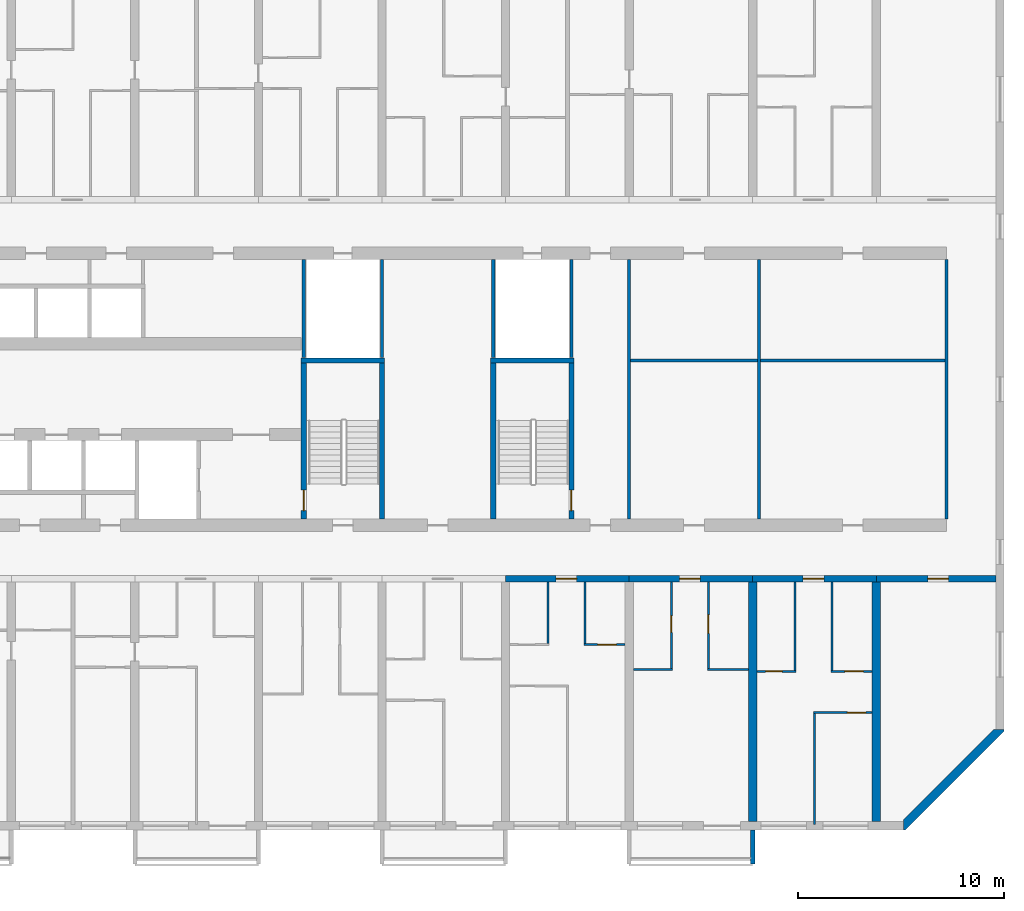
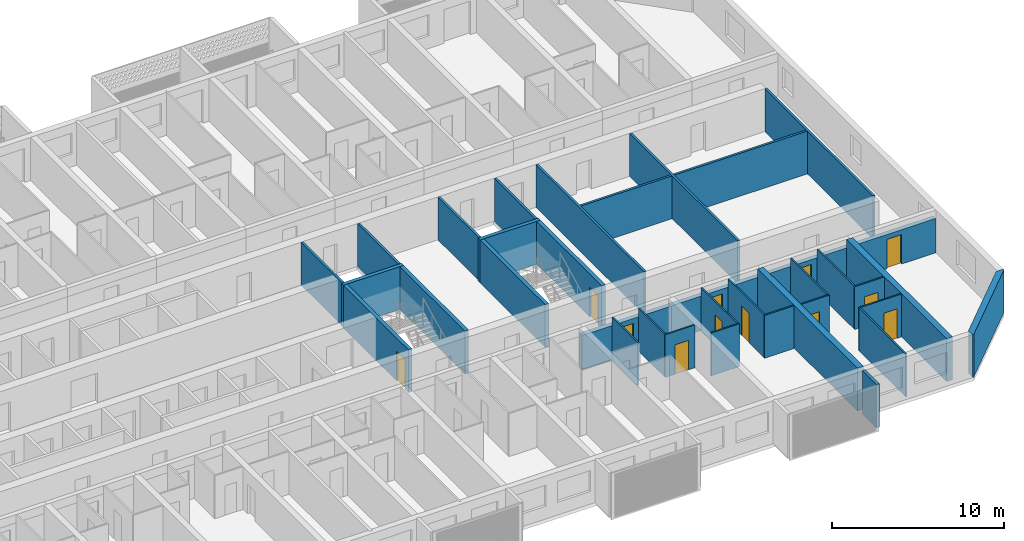
# One storey, part 15 of 38: 35 walls, 12 doors, 12 openings.
"""IFC4 building model written with IfcOpenShell, lengths in metres."""

from ifc_helpers import new_model, si_unit, direction, frame, frame_2d, origin, place, context, subcontext, project, spatial, polyline, rectangle, outline, extrude, source, transform, mapped, material, layer, layer_set, type_object, element, fill, save


model = new_model("IFC4")

# Units and contexts
model_context = context("Model", 3, precision=1e-05, world=origin(), true_north=direction((0.0, 1.0)))
body_context = subcontext(model_context, "Body", "Model", "MODEL_VIEW")
ifc_project = project(units=[si_unit("LENGTHUNIT", "METRE"), si_unit("AREAUNIT", "SQUARE_METRE"), si_unit("VOLUMEUNIT", "CUBIC_METRE"), si_unit("PLANEANGLEUNIT", "RADIAN"), si_unit("MASSUNIT", "GRAM", prefix="KILO")], contexts=[model_context])

# Site, building, storey
site_placement = place(None, origin())
site = spatial("IfcSite", under=ifc_project, at=site_placement, CompositionType="ELEMENT")
building_placement = place(site_placement, origin())
building = spatial("IfcBuilding", under=site, at=building_placement, Name="Poui Terraces", CompositionType="ELEMENT")
storey_placement = place(building_placement, frame((0.0, 0.0, 43.199951171875)))
storey = spatial("IfcBuildingStorey", under=building, at=storey_placement, Name="L11", CompositionType="ELEMENT", Elevation=43.199951171875)

# Walls
ifc_material_1 = material(Name="Fire-rated plasterboard wall")
ifc_layer_1 = layer(ifc_material_1, 0.14990234375)
ifc_layer_set_1 = layer_set([ifc_layer_1], Name="Fire-rated plasterboard wall")
wall_type_1 = type_object("IfcWallType", Name="CORRIDOR WALL 150", PredefinedType="PARTITIONING", material=ifc_layer_set_1)
for number, where, z_axis, x_axis, name in (
    (1, (84.0, 14.909912109375, 0.0), (0.0, 0.0, 1.0), (0.0, 1.0, 0.0), "CORRIDOR WALL 150"),
    (2, (99.39990234375, 14.909912109375, 0.0), (0.0, 0.0, 1.0), (0.0, 1.0, 0.0), "CORRIDOR WALL 150"),
):
    element("IfcWall", number, at=place(storey_placement, frame(where, z_axis=z_axis, x_axis=x_axis)), inside=storey, type_object=wall_type_1, Name=name, PredefinedType="PARTITIONING", context=body_context, shape_type="SweptSolid", body=[
        extrude(rectangle(XDim=12.580078125, YDim=0.14990234375, at=frame_2d((6.2900390625, 0.0))), origin(), (0.0, 0.0, 1.0), 3.050048828125),
    ])

# Wall, opening, door
ifc_material_2 = material(Name="Concrete 80 MPa", Category="concrete")
ifc_layer_2 = layer(ifc_material_2, 0.300048828125)
ifc_layer_set_2 = layer_set([ifc_layer_2], Name="Concrete 80 MPa")
wall_type_2 = type_object("IfcWallType", Name="CORRIDOR WALL 300 80MPa", PredefinedType="SHEAR", material=ifc_layer_set_2)
wall_1_placement = place(storey_placement, frame((78.0, 12.0, 0.0), z_axis=(0.0, 0.0, 1.0), x_axis=(1.0, 0.0, 0.0)))
wall_1 = element("IfcWall", 3, at=wall_1_placement, inside=storey, type_object=wall_type_2, Name="CORRIDOR WALL LINE B BAY 14", PredefinedType="SHEAR", context=body_context, shape_type="SweptSolid", body=[
    extrude(rectangle(XDim=6.0, YDim=0.300048828125, at=frame_2d((3.0, 0.0))), origin(), (0.0, 0.0, 1.0), 2.449951171875),
])
opening_1_placement = place(wall_1_placement, frame((2.449951171875, 0.0, 0.0)))
opening_1 = element("IfcOpeningElement", 4, at=opening_1_placement, cuts=wall_1, Name="Opening FD30S", PredefinedType="OPENING", context=body_context, shape_type="SweptSolid", body=[
    extrude(rectangle(XDim=1.0, YDim=2.10009765625, at=frame_2d((0.5, 1.050048828125))), frame((0.0, 0.16015625, 0.0), z_axis=(0.0, -1.0, 0.0), x_axis=(1.0, 0.0, 0.0)), (0.0, 0.0, 1.0), 0.320068359375),
])
ifc_material_3 = material(Name="Steel fire door", Category="steel")
door_type_1 = type_object("IfcDoorType", Name="FLAT ENTRANCE DOOR 1000 X 2100", OperationType="NOTDEFINED", PredefinedType="DOOR", material=ifc_material_3)
door_1_placement = place(opening_1_placement, frame((1.0, 0.0, 0.0), z_axis=(0.0, 0.0, 1.0), x_axis=(-1.0, 0.0, 0.0)))
door_1 = element("IfcDoor", 5, at=door_1_placement, inside=storey, type_object=door_type_1, Name="FLAT ENTRANCE DOOR 138", OperationType="SINGLE_SWING_RIGHT", OverallHeight=2.10009765625, OverallWidth=1.0, PredefinedType="DOOR", context=body_context, shape_type="SweptSolid", body=[
    extrude(rectangle(XDim=1.0, YDim=2.10009765625, at=frame_2d((0.5, 1.050048828125))), frame((0.0, 0.02490234375, 0.0), z_axis=(0.0, -1.0, 0.0), x_axis=(1.0, 0.0, 0.0)), (0.0, 0.0, 1.0), 0.050048828125),
])
fill(opening_1, door_1)

wall_2_placement = place(storey_placement, frame((84.0, 12.0, 0.0), z_axis=(0.0, 0.0, 1.0), x_axis=(1.0, 0.0, 0.0)))
wall_2 = element("IfcWall", 6, at=wall_2_placement, inside=storey, type_object=wall_type_2, Name="CORRIDOR WALL LINE B BAY 15", PredefinedType="SHEAR", context=body_context, shape_type="SweptSolid", body=[
    extrude(rectangle(XDim=6.0, YDim=0.300048828125, at=frame_2d((3.0, 0.0))), origin(), (0.0, 0.0, 1.0), 2.449951171875),
])
opening_2_placement = place(wall_2_placement, frame((2.449951171875, 0.0, 0.0)))
opening_2 = element("IfcOpeningElement", 7, at=opening_2_placement, cuts=wall_2, Name="Opening FD30S", PredefinedType="OPENING", context=body_context, shape_type="SweptSolid", body=[
    extrude(rectangle(XDim=1.0, YDim=2.10009765625, at=frame_2d((0.5, 1.050048828125))), frame((0.0, 0.16015625, 0.0), z_axis=(0.0, -1.0, 0.0), x_axis=(1.0, 0.0, 0.0)), (0.0, 0.0, 1.0), 0.320068359375),
])
door_2_placement = place(opening_2_placement, frame((1.0, 0.0, 0.0), z_axis=(0.0, 0.0, 1.0), x_axis=(-1.0, 0.0, 0.0)))
door_2 = element("IfcDoor", 8, at=door_2_placement, inside=storey, type_object=door_type_1, Name="FLAT ENTRANCE DOOR 141", OperationType="SINGLE_SWING_RIGHT", OverallHeight=2.10009765625, OverallWidth=1.0, PredefinedType="DOOR", context=body_context, shape_type="SweptSolid", body=[
    extrude(rectangle(XDim=1.0, YDim=2.10009765625, at=frame_2d((0.5, 1.050048828125))), frame((0.0, 0.02490234375, 0.0), z_axis=(0.0, -1.0, 0.0), x_axis=(1.0, 0.0, 0.0)), (0.0, 0.0, 1.0), 0.050048828125),
])
fill(opening_2, door_2)

wall_3_placement = place(storey_placement, frame((90.0, 12.0, 0.0), z_axis=(0.0, 0.0, 1.0), x_axis=(1.0, 0.0, 0.0)))
wall_3 = element("IfcWall", 9, at=wall_3_placement, inside=storey, type_object=wall_type_2, Name="CORRIDOR WALL LINE B BAY 16", PredefinedType="SHEAR", context=body_context, shape_type="SweptSolid", body=[
    extrude(rectangle(XDim=6.0, YDim=0.300048828125, at=frame_2d((3.0, 0.0))), origin(), (0.0, 0.0, 1.0), 2.449951171875),
])
opening_3_placement = place(wall_3_placement, frame((2.449951171875, 0.0, 0.0)))
opening_3 = element("IfcOpeningElement", 10, at=opening_3_placement, cuts=wall_3, Name="Opening FD30S", PredefinedType="OPENING", context=body_context, shape_type="SweptSolid", body=[
    extrude(rectangle(XDim=1.0, YDim=2.10009765625, at=frame_2d((0.5, 1.050048828125))), frame((0.0, 0.16015625, 0.0), z_axis=(0.0, -1.0, 0.0), x_axis=(1.0, 0.0, 0.0)), (0.0, 0.0, 1.0), 0.320068359375),
])
door_3_placement = place(opening_3_placement, frame((1.0, 0.0, 0.0), z_axis=(0.0, 0.0, 1.0), x_axis=(-1.0, 0.0, 0.0)))
door_3 = element("IfcDoor", 11, at=door_3_placement, inside=storey, type_object=door_type_1, Name="FLAT ENTRANCE DOOR 144", OperationType="SINGLE_SWING_RIGHT", OverallHeight=2.10009765625, OverallWidth=1.0, PredefinedType="DOOR", context=body_context, shape_type="SweptSolid", body=[
    extrude(rectangle(XDim=1.0, YDim=2.10009765625, at=frame_2d((0.5, 1.050048828125))), frame((0.0, 0.02490234375, 0.0), z_axis=(0.0, -1.0, 0.0), x_axis=(1.0, 0.0, 0.0)), (0.0, 0.0, 1.0), 0.050048828125),
])
fill(opening_3, door_3)

wall_4_placement = place(storey_placement, frame((96.0, 12.0, 0.0), z_axis=(0.0, 0.0, 1.0), x_axis=(1.0, 0.0, 0.0)))
wall_4 = element("IfcWall", 12, at=wall_4_placement, inside=storey, type_object=wall_type_2, Name="CORRIDOR WALL LINE B BAY 17", PredefinedType="SHEAR", context=body_context, shape_type="SweptSolid", body=[
    extrude(rectangle(XDim=5.800048828125, YDim=0.300048828125, at=frame_2d((2.89990234375, 0.0))), origin(), (0.0, 0.0, 1.0), 2.449951171875),
])
opening_4_placement = place(wall_4_placement, frame((2.5, 0.0, 0.0)))
opening_4 = element("IfcOpeningElement", 13, at=opening_4_placement, cuts=wall_4, Name="Opening D100", PredefinedType="OPENING", context=body_context, shape_type="SweptSolid", body=[
    extrude(rectangle(XDim=1.0, YDim=2.10009765625, at=frame_2d((0.5, 1.050048828125))), frame((0.0, 0.16015625, 0.0), z_axis=(0.0, -1.0, 0.0), x_axis=(1.0, 0.0, 0.0)), (0.0, 0.0, 1.0), 0.320068359375),
])
ifc_material_4 = material(Name="Solid core timber door", Category="wood")
door_type_2 = type_object("IfcDoorType", Name="ACCESSIBLE INTERNAL DOOR 1000 X 2100", OperationType="NOTDEFINED", PredefinedType="DOOR", material=ifc_material_4)
door_4_placement = place(opening_4_placement, frame((1.0, 0.0, 0.0), z_axis=(0.0, 0.0, 1.0), x_axis=(-1.0, 0.0, 0.0)))
door_4 = element("IfcDoor", 14, at=door_4_placement, inside=storey, type_object=door_type_2, Name="ACCESSIBLE INTERNAL DOOR 147", OperationType="SINGLE_SWING_RIGHT", OverallHeight=2.10009765625, OverallWidth=1.0, PredefinedType="DOOR", context=body_context, shape_type="SweptSolid", body=[
    extrude(rectangle(XDim=1.0, YDim=2.10009765625, at=frame_2d((0.5, 1.050048828125))), frame((0.0, 0.02490234375, 0.0), z_axis=(0.0, -1.0, 0.0), x_axis=(1.0, 0.0, 0.0)), (0.0, 0.0, 1.0), 0.050048828125),
])
fill(opening_4, door_4)

# Walls
ifc_layer_3 = layer(ifc_material_2, 0.39990234375)
ifc_layer_set_3 = layer_set([ifc_layer_3], Name="Concrete 80 MPa")
wall_type_3 = type_object("IfcWallType", Name="CROSS WALL 400 80MPa", PredefinedType="SHEAR", material=ifc_layer_set_3)
for number, where, z_axis, x_axis, name in (
    (15, (90.0, 0.199951171875, 0.0), (0.0, 0.0, 1.0), (0.0, 1.0, 0.0), "CROSS WALL LINE 16 SOUTH"),
    (16, (96.0, 0.199951171875, 0.0), (0.0, 0.0, 1.0), (0.0, 1.0, 0.0), "CROSS WALL LINE 17 SOUTH"),
):
    element("IfcWall", number, at=place(storey_placement, frame(where, z_axis=z_axis, x_axis=x_axis)), inside=storey, type_object=wall_type_3, Name=name, PredefinedType="SHEAR", context=body_context, shape_type="SweptSolid", body=[
        extrude(rectangle(XDim=11.650146484375, YDim=0.39990234375, at=frame_2d((5.8251953125, 0.0))), origin(), (0.0, 0.0, 1.0), 3.050048828125),
    ])

# Wall, opening, door
ifc_material_5 = material(Name="Plasterboard partition")
ifc_layer_4 = layer(ifc_material_5, 0.10009765625)
ifc_layer_set_4 = layer_set([ifc_layer_4], Name="Plasterboard partition")
wall_type_4 = type_object("IfcWallType", Name="FLAT PARTITION 100", PredefinedType="PARTITIONING", material=ifc_layer_set_4)
wall_5_placement = place(storey_placement, frame((92.949951171875, 5.5, 0.0), z_axis=(0.0, 0.0, 1.0), x_axis=(1.0, 0.0, 0.0)))
wall_5 = element("IfcWall", 17, at=wall_5_placement, inside=storey, type_object=wall_type_4, Name="FLAT PARTITION 100", PredefinedType="PARTITIONING", context=body_context, shape_type="SweptSolid", body=[
    extrude(rectangle(XDim=2.840087890625, YDim=0.10009765625, at=frame_2d((1.419921875, 0.0))), origin(), (0.0, 0.0, 1.0), 3.050048828125),
])
opening_5_placement = place(wall_5_placement, frame((1.64990234375, 0.0, 0.0)))
opening_5 = element("IfcOpeningElement", 18, at=opening_5_placement, cuts=wall_5, Name="Opening D90", PredefinedType="OPENING", context=body_context, shape_type="SweptSolid", body=[
    extrude(rectangle(XDim=0.89990234375, YDim=2.10009765625, at=frame_2d((0.449951171875, 1.050048828125))), frame((0.0, 0.06005859375, 0.0), z_axis=(0.0, -1.0, 0.0), x_axis=(1.0, 0.0, 0.0)), (0.0, 0.0, 1.0), 0.1201171875),
])
door_type_3 = type_object("IfcDoorType", Name="INTERNAL DOOR 900 X 2100", OperationType="NOTDEFINED", PredefinedType="DOOR", material=ifc_material_4)
door_5_placement = place(opening_5_placement, frame((0.89990234375, 0.0, 0.0), z_axis=(0.0, 0.0, 1.0), x_axis=(-1.0, 0.0, 0.0)))
door_5 = element("IfcDoor", 19, at=door_5_placement, inside=storey, type_object=door_type_3, Name="INTERNAL DOOR 146", OperationType="SINGLE_SWING_LEFT", OverallHeight=2.10009765625, OverallWidth=0.89990234375, PredefinedType="DOOR", context=body_context, shape_type="SweptSolid", body=[
    extrude(rectangle(XDim=0.89990234375, YDim=2.10009765625, at=frame_2d((0.449951171875, 1.050048828125))), frame((0.0, 0.02490234375, 0.0), z_axis=(0.0, -1.0, 0.0), x_axis=(1.0, 0.0, 0.0)), (0.0, 0.0, 1.0), 0.050048828125),
])
fill(opening_5, door_5)

wall_6_placement = place(storey_placement, frame((90.2099609375, 7.5, 0.0), z_axis=(0.0, 0.0, 1.0), x_axis=(1.0, 0.0, 0.0)))
wall_6 = element("IfcWall", 20, at=wall_6_placement, inside=storey, type_object=wall_type_4, Name="FLAT PARTITION 100", PredefinedType="PARTITIONING", context=body_context, shape_type="SweptSolid", body=[
    extrude(rectangle(XDim=1.89013671875, YDim=0.10009765625, at=frame_2d((0.945068359375, 0.0))), origin(), (0.0, 0.0, 1.0), 3.050048828125),
])
opening_6_placement = place(wall_6_placement, frame((0.4150390625, 0.0, 0.0)))
opening_6 = element("IfcOpeningElement", 21, at=opening_6_placement, cuts=wall_6, Name="Opening D80", PredefinedType="OPENING", context=body_context, shape_type="SweptSolid", body=[
    extrude(rectangle(XDim=0.800048828125, YDim=2.10009765625, at=frame_2d((0.39990234375, 1.050048828125))), frame((0.0, 0.06005859375, 0.0), z_axis=(0.0, -1.0, 0.0), x_axis=(1.0, 0.0, 0.0)), (0.0, 0.0, 1.0), 0.1201171875),
])
door_type_4 = type_object("IfcDoorType", Name="BATHROOM, LAUNDRY AND STORE DOOR 800 X 2100", OperationType="NOTDEFINED", PredefinedType="DOOR", material=ifc_material_4)
door_6_placement = place(opening_6_placement, origin())
door_6 = element("IfcDoor", 22, at=door_6_placement, inside=storey, type_object=door_type_4, Name="BATHROOM, LAUNDRY AND STORE DOOR 143", OperationType="SINGLE_SWING_LEFT", OverallHeight=2.10009765625, OverallWidth=0.800048828125, PredefinedType="DOOR", context=body_context, shape_type="SweptSolid", body=[
    extrude(rectangle(XDim=0.800048828125, YDim=2.10009765625, at=frame_2d((0.39990234375, 1.050048828125))), frame((0.0, 0.02490234375, 0.0), z_axis=(0.0, -1.0, 0.0), x_axis=(1.0, 0.0, 0.0)), (0.0, 0.0, 1.0), 0.050048828125),
])
fill(opening_6, door_6)

wall_7_placement = place(storey_placement, frame((93.800048828125, 7.5, 0.0), z_axis=(0.0, 0.0, 1.0), x_axis=(1.0, 0.0, 0.0)))
wall_7 = element("IfcWall", 23, at=wall_7_placement, inside=storey, type_object=wall_type_4, Name="FLAT PARTITION 100", PredefinedType="PARTITIONING", context=body_context, shape_type="SweptSolid", body=[
    extrude(rectangle(XDim=1.989990234375, YDim=0.10009765625, at=frame_2d((0.9951171875, 0.0))), origin(), (0.0, 0.0, 1.0), 3.050048828125),
])
opening_7_placement = place(wall_7_placement, frame((0.675048828125, 0.0, 0.0)))
opening_7 = element("IfcOpeningElement", 24, at=opening_7_placement, cuts=wall_7, Name="Opening D90", PredefinedType="OPENING", context=body_context, shape_type="SweptSolid", body=[
    extrude(rectangle(XDim=0.89990234375, YDim=2.10009765625, at=frame_2d((0.449951171875, 1.050048828125))), frame((0.0, 0.06005859375, 0.0), z_axis=(0.0, -1.0, 0.0), x_axis=(1.0, 0.0, 0.0)), (0.0, 0.0, 1.0), 0.1201171875),
])
door_7_placement = place(opening_7_placement, origin())
door_7 = element("IfcDoor", 25, at=door_7_placement, inside=storey, type_object=door_type_3, Name="INTERNAL DOOR 145", OperationType="SINGLE_SWING_RIGHT", OverallHeight=2.10009765625, OverallWidth=0.89990234375, PredefinedType="DOOR", context=body_context, shape_type="SweptSolid", body=[
    extrude(rectangle(XDim=0.89990234375, YDim=2.10009765625, at=frame_2d((0.449951171875, 1.050048828125))), frame((0.0, 0.02490234375, 0.0), z_axis=(0.0, -1.0, 0.0), x_axis=(1.0, 0.0, 0.0)), (0.0, 0.0, 1.0), 0.050048828125),
])
fill(opening_7, door_7)

# Walls
wall_8_placement = place(storey_placement, frame((84.2099609375, 7.60009765625, 0.0), z_axis=(0.0, 0.0, 1.0), x_axis=(1.0, 0.0, 0.0)))
element("IfcWall", 26, at=wall_8_placement, inside=storey, type_object=wall_type_4, Name="FLAT PARTITION 100", PredefinedType="PARTITIONING", context=body_context, shape_type="SweptSolid", body=[
    extrude(rectangle(XDim=1.89013671875, YDim=0.10009765625, at=frame_2d((0.945068359375, 0.0))), origin(), (0.0, 0.0, 1.0), 3.050048828125),
])
wall_9_placement = place(storey_placement, frame((87.800048828125, 7.60009765625, 0.0), z_axis=(0.0, 0.0, 1.0), x_axis=(1.0, 0.0, 0.0)))
element("IfcWall", 27, at=wall_9_placement, inside=storey, type_object=wall_type_4, Name="FLAT PARTITION 100", PredefinedType="PARTITIONING", context=body_context, shape_type="SweptSolid", body=[
    extrude(rectangle(XDim=1.989990234375, YDim=0.10009765625, at=frame_2d((0.9951171875, 0.0))), origin(), (0.0, 0.0, 1.0), 3.050048828125),
])

# Wall, opening, door
wall_10_placement = place(storey_placement, frame((81.800048828125, 8.800048828125, 0.0), z_axis=(0.0, 0.0, 1.0), x_axis=(1.0, 0.0, 0.0)))
wall_10 = element("IfcWall", 28, at=wall_10_placement, inside=storey, type_object=wall_type_4, Name="FLAT PARTITION 100", PredefinedType="PARTITIONING", context=body_context, shape_type="SweptSolid", body=[
    extrude(rectangle(XDim=1.989990234375, YDim=0.10009765625, at=frame_2d((0.9951171875, 0.0))), origin(), (0.0, 0.0, 1.0), 3.050048828125),
])
opening_8_placement = place(wall_10_placement, frame((0.675048828125, 0.0, 0.0)))
opening_8 = element("IfcOpeningElement", 29, at=opening_8_placement, cuts=wall_10, Name="Opening D90", PredefinedType="OPENING", context=body_context, shape_type="SweptSolid", body=[
    extrude(rectangle(XDim=0.89990234375, YDim=2.10009765625, at=frame_2d((0.449951171875, 1.050048828125))), frame((0.0, 0.06005859375, 0.0), z_axis=(0.0, -1.0, 0.0), x_axis=(1.0, 0.0, 0.0)), (0.0, 0.0, 1.0), 0.1201171875),
])
door_8_placement = place(opening_8_placement, origin())
door_8 = element("IfcDoor", 30, at=door_8_placement, inside=storey, type_object=door_type_3, Name="INTERNAL DOOR 139", OperationType="SINGLE_SWING_RIGHT", OverallHeight=2.10009765625, OverallWidth=0.89990234375, PredefinedType="DOOR", context=body_context, shape_type="SweptSolid", body=[
    extrude(rectangle(XDim=0.89990234375, YDim=2.10009765625, at=frame_2d((0.449951171875, 1.050048828125))), frame((0.0, 0.02490234375, 0.0), z_axis=(0.0, -1.0, 0.0), x_axis=(1.0, 0.0, 0.0)), (0.0, 0.0, 1.0), 0.050048828125),
])
fill(opening_8, door_8)

# Walls
for number, where, z_axis, x_axis, name in (
    (31, (80.050048828125, 8.85009765625, 0.0), (0.0, 0.0, 1.0), (0.0, 1.0, 0.0), "FLAT PARTITION 100"),
    (32, (81.85009765625, 8.85009765625, 0.0), (0.0, 0.0, 1.0), (0.0, 1.0, 0.0), "FLAT PARTITION 100"),
):
    element("IfcWall", number, at=place(storey_placement, frame(where, z_axis=z_axis, x_axis=x_axis)), inside=storey, type_object=wall_type_4, Name=name, PredefinedType="PARTITIONING", context=body_context, shape_type="SweptSolid", body=[
        extrude(rectangle(XDim=2.989990234375, YDim=0.10009765625, at=frame_2d((1.4951171875, 0.0))), origin(), (0.0, 0.0, 1.0), 3.050048828125),
    ])

# Wall, opening, door
wall_11_placement = place(storey_placement, frame((86.050048828125, 7.64990234375, 0.0), z_axis=(0.0, 0.0, 1.0), x_axis=(0.0, 1.0, 0.0)))
wall_11 = element("IfcWall", 33, at=wall_11_placement, inside=storey, type_object=wall_type_4, Name="FLAT PARTITION 100", PredefinedType="PARTITIONING", context=body_context, shape_type="SweptSolid", body=[
    extrude(rectangle(XDim=4.190185546875, YDim=0.10009765625, at=frame_2d((2.09521484375, 0.0))), origin(), (0.0, 0.0, 1.0), 3.050048828125),
])
opening_9_placement = place(wall_11_placement, frame((1.75, 0.0, 0.0)))
opening_9 = element("IfcOpeningElement", 34, at=opening_9_placement, cuts=wall_11, Name="Opening D80", PredefinedType="OPENING", context=body_context, shape_type="SweptSolid", body=[
    extrude(rectangle(XDim=0.800048828125, YDim=2.10009765625, at=frame_2d((0.39990234375, 1.050048828125))), frame((0.0, 0.06005859375, 0.0), z_axis=(0.0, -1.0, 0.0), x_axis=(1.0, 0.0, 0.0)), (0.0, 0.0, 1.0), 0.1201171875),
])
door_9_placement = place(opening_9_placement, origin())
door_9 = element("IfcDoor", 35, at=door_9_placement, inside=storey, type_object=door_type_4, Name="BATHROOM, LAUNDRY AND STORE DOOR 140", OperationType="SINGLE_SWING_LEFT", OverallHeight=2.10009765625, OverallWidth=0.800048828125, PredefinedType="DOOR", context=body_context, shape_type="SweptSolid", body=[
    extrude(rectangle(XDim=0.800048828125, YDim=2.10009765625, at=frame_2d((0.39990234375, 1.050048828125))), frame((0.0, 0.02490234375, 0.0), z_axis=(0.0, -1.0, 0.0), x_axis=(1.0, 0.0, 0.0)), (0.0, 0.0, 1.0), 0.050048828125),
])
fill(opening_9, door_9)

wall_12_placement = place(storey_placement, frame((87.85009765625, 7.64990234375, 0.0), z_axis=(0.0, 0.0, 1.0), x_axis=(0.0, 1.0, 0.0)))
wall_12 = element("IfcWall", 36, at=wall_12_placement, inside=storey, type_object=wall_type_4, Name="FLAT PARTITION 100", PredefinedType="PARTITIONING", context=body_context, shape_type="SweptSolid", body=[
    extrude(rectangle(XDim=4.190185546875, YDim=0.10009765625, at=frame_2d((2.09521484375, 0.0))), origin(), (0.0, 0.0, 1.0), 3.050048828125),
])
opening_10_placement = place(wall_12_placement, frame((1.699951171875, 0.0, 0.0)))
opening_10 = element("IfcOpeningElement", 37, at=opening_10_placement, cuts=wall_12, Name="Opening D90", PredefinedType="OPENING", context=body_context, shape_type="SweptSolid", body=[
    extrude(rectangle(XDim=0.89990234375, YDim=2.10009765625, at=frame_2d((0.449951171875, 1.050048828125))), frame((0.0, 0.06005859375, 0.0), z_axis=(0.0, -1.0, 0.0), x_axis=(1.0, 0.0, 0.0)), (0.0, 0.0, 1.0), 0.1201171875),
])
door_10_placement = place(opening_10_placement, frame((0.89990234375, 0.0, 0.0), z_axis=(0.0, 0.0, 1.0), x_axis=(-1.0, 0.0, 0.0)))
door_10 = element("IfcDoor", 38, at=door_10_placement, inside=storey, type_object=door_type_3, Name="INTERNAL DOOR 142", OperationType="SINGLE_SWING_LEFT", OverallHeight=2.10009765625, OverallWidth=0.89990234375, PredefinedType="DOOR", context=body_context, shape_type="SweptSolid", body=[
    extrude(rectangle(XDim=0.89990234375, YDim=2.10009765625, at=frame_2d((0.449951171875, 1.050048828125))), frame((0.0, 0.02490234375, 0.0), z_axis=(0.0, -1.0, 0.0), x_axis=(1.0, 0.0, 0.0)), (0.0, 0.0, 1.0), 0.050048828125),
])
fill(opening_10, door_10)

# Walls
wall_13_placement = place(storey_placement, frame((92.050048828125, 7.550048828125, 0.0), z_axis=(0.0, 0.0, 1.0), x_axis=(0.0, 1.0, 0.0)))
element("IfcWall", 39, at=wall_13_placement, inside=storey, type_object=wall_type_4, Name="FLAT PARTITION 100", PredefinedType="PARTITIONING", context=body_context, shape_type="SweptSolid", body=[
    extrude(rectangle(XDim=4.2900390625, YDim=0.10009765625, at=frame_2d((2.14501953125, 0.0))), origin(), (0.0, 0.0, 1.0), 3.050048828125),
])
wall_14_placement = place(storey_placement, frame((93.0, 0.06005859375, 0.0), z_axis=(0.0, 0.0, 1.0), x_axis=(0.0, 1.0, 0.0)))
element("IfcWall", 40, at=wall_14_placement, inside=storey, type_object=wall_type_4, Name="FLAT PARTITION 100", PredefinedType="PARTITIONING", context=body_context, shape_type="SweptSolid", body=[
    extrude(rectangle(XDim=5.389892578125, YDim=0.10009765625, at=frame_2d((2.69482421875, 0.0))), origin(), (0.0, 0.0, 1.0), 3.050048828125),
])
wall_15_placement = place(storey_placement, frame((93.85009765625, 7.550048828125, 0.0), z_axis=(0.0, 0.0, 1.0), x_axis=(0.0, 1.0, 0.0)))
element("IfcWall", 41, at=wall_15_placement, inside=storey, type_object=wall_type_4, Name="FLAT PARTITION 100", PredefinedType="PARTITIONING", context=body_context, shape_type="SweptSolid", body=[
    extrude(rectangle(XDim=4.2900390625, YDim=0.10009765625, at=frame_2d((2.14501953125, 0.0))), origin(), (0.0, 0.0, 1.0), 3.050048828125),
])
ifc_layer_5 = layer(ifc_material_5, 0.14990234375)
ifc_layer_set_5 = layer_set([ifc_layer_5], Name="Plasterboard partition")
wall_type_5 = type_object("IfcWallType", Name="PARTITION WALL 150", PredefinedType="PARTITIONING", material=ifc_layer_set_5)
wall_16_placement = place(storey_placement, frame((84.074951171875, 22.60009765625, 0.0), z_axis=(0.0, 0.0, 1.0), x_axis=(1.0, 0.0, 0.0)))
element("IfcWall", 42, at=wall_16_placement, inside=storey, type_object=wall_type_5, Name="PARTITION WALL 150", PredefinedType="PARTITIONING", context=body_context, shape_type="SweptSolid", body=[
    extrude(rectangle(XDim=15.25, YDim=0.14990234375, at=frame_2d((7.625, 0.0))), origin(), (0.0, 0.0, 1.0), 3.050048828125),
])
wall_17_placement = place(storey_placement, frame((90.300048828125, 14.909912109375, 0.0), z_axis=(0.0, 0.0, 1.0), x_axis=(0.0, 1.0, 0.0)))
element("IfcWall", 43, at=wall_17_placement, inside=storey, type_object=wall_type_5, Name="PARTITION WALL 150", PredefinedType="PARTITIONING", context=body_context, shape_type="SweptSolid", body=[
    extrude(rectangle(XDim=12.580078125, YDim=0.14990234375, at=frame_2d((6.2900390625, 0.0))), origin(), (0.0, 0.0, 1.0), 3.050048828125),
])
ifc_material_6 = material(Name="Fire-rated plasterboard riser wall")
ifc_layer_6 = layer(ifc_material_6, 0.14990234375)
ifc_layer_set_6 = layer_set([ifc_layer_6], Name="Fire-rated plasterboard riser wall")
wall_type_6 = type_object("IfcWallType", Name="RISER WALL 150", PredefinedType="PARTITIONING", material=ifc_layer_set_6)
for number, where, z_axis, x_axis, name in (
    (44, (68.199951171875, 22.735107421875, 0.0), (0.0, 0.0, 1.0), (0.0, 1.0, 0.0), "RISER WALL 150"),
    (45, (72.0, 22.735107421875, 0.0), (0.0, 0.0, 1.0), (0.0, 1.0, 0.0), "RISER WALL 150"),
    (46, (77.39990234375, 22.735107421875, 0.0), (0.0, 0.0, 1.0), (0.0, 1.0, 0.0), "RISER WALL 150"),
    (47, (81.199951171875, 22.735107421875, 0.0), (0.0, 0.0, 1.0), (0.0, 1.0, 0.0), "RISER WALL 150"),
):
    element("IfcWall", number, at=place(storey_placement, frame(where, z_axis=z_axis, x_axis=x_axis)), inside=storey, type_object=wall_type_6, Name=name, PredefinedType="PARTITIONING", context=body_context, shape_type="SweptSolid", body=[
        extrude(rectangle(XDim=4.7548828125, YDim=0.14990234375, at=frame_2d((2.37744140625, 0.0))), origin(), (0.0, 0.0, 1.0), 3.050048828125),
    ])

# Wall, opening, door
ifc_layer_7 = layer(ifc_material_2, 0.25)
ifc_layer_set_7 = layer_set([ifc_layer_7], Name="Concrete 80 MPa")
wall_type_7 = type_object("IfcWallType", Name="STAIR CORE WALL 250 80 MPA", PredefinedType="SOLIDWALL", material=ifc_layer_set_7)
wall_18_placement = place(storey_placement, frame((68.199951171875, 14.89990234375, 0.0), z_axis=(0.0, 0.0, 1.0), x_axis=(0.0, 1.0, 0.0)))
wall_18 = element("IfcWall", 48, at=wall_18_placement, inside=storey, type_object=wall_type_7, Name="STAIR CORE WALL", PredefinedType="SOLIDWALL", context=body_context, shape_type="SweptSolid", body=[
    extrude(rectangle(XDim=7.5751953125, YDim=0.25, at=frame_2d((3.78759765625, 0.0))), origin(), (0.0, 0.0, 1.0), 3.050048828125),
])
opening_11_placement = place(wall_18_placement, frame((0.39990234375, 0.0, 0.0)))
opening_11 = element("IfcOpeningElement", 49, at=opening_11_placement, cuts=wall_18, Name="Opening FD60S", PredefinedType="OPENING", context=body_context, shape_type="SweptSolid", body=[
    extrude(rectangle(XDim=1.0, YDim=2.10009765625, at=frame_2d((0.5, 1.050048828125))), frame((0.0, 0.135009765625, 0.0), z_axis=(0.0, -1.0, 0.0), x_axis=(1.0, 0.0, 0.0)), (0.0, 0.0, 1.0), 0.27001953125),
])
door_type_5 = type_object("IfcDoorType", Name="STAIR DOOR 1000 X 2100", OperationType="NOTDEFINED", PredefinedType="DOOR", material=ifc_material_3)
door_11_placement = place(opening_11_placement, frame((1.0, 0.0, 0.0), z_axis=(0.0, 0.0, 1.0), x_axis=(-1.0, 0.0, 0.0)))
door_11 = element("IfcDoor", 50, at=door_11_placement, inside=storey, type_object=door_type_5, Name="STAIR DOOR 149", OperationType="SINGLE_SWING_LEFT", OverallHeight=2.10009765625, OverallWidth=1.0, PredefinedType="DOOR", context=body_context, shape_type="SweptSolid", body=[
    extrude(rectangle(XDim=1.0, YDim=2.10009765625, at=frame_2d((0.5, 1.050048828125))), frame((0.0, 0.02490234375, 0.0), z_axis=(0.0, -1.0, 0.0), x_axis=(1.0, 0.0, 0.0)), (0.0, 0.0, 1.0), 0.050048828125),
])
fill(opening_11, door_11)

# Walls
wall_19_placement = place(storey_placement, frame((72.0, 14.89990234375, 0.0), z_axis=(0.0, 0.0, 1.0), x_axis=(0.0, 1.0, 0.0)))
element("IfcWall", 51, at=wall_19_placement, inside=storey, type_object=wall_type_7, Name="STAIR CORE WALL", PredefinedType="SOLIDWALL", context=body_context, shape_type="SweptSolid", body=[
    extrude(rectangle(XDim=7.5751953125, YDim=0.25, at=frame_2d((3.78759765625, 0.0))), origin(), (0.0, 0.0, 1.0), 3.050048828125),
])
wall_20_placement = place(storey_placement, frame((68.074951171875, 22.60009765625, 0.0), z_axis=(0.0, 0.0, 1.0), x_axis=(1.0, 0.0, 0.0)))
element("IfcWall", 52, at=wall_20_placement, inside=storey, type_object=wall_type_7, Name="STAIR CORE WALL", PredefinedType="SOLIDWALL", context=body_context, shape_type="SweptSolid", body=[
    extrude(rectangle(XDim=4.050048828125, YDim=0.25, at=frame_2d((2.02490234375, 0.0))), origin(), (0.0, 0.0, 1.0), 3.050048828125),
])
wall_21_placement = place(storey_placement, frame((77.39990234375, 14.89990234375, 0.0), z_axis=(0.0, 0.0, 1.0), x_axis=(0.0, 1.0, 0.0)))
element("IfcWall", 53, at=wall_21_placement, inside=storey, type_object=wall_type_7, Name="STAIR CORE WALL", PredefinedType="SOLIDWALL", context=body_context, shape_type="SweptSolid", body=[
    extrude(rectangle(XDim=7.5751953125, YDim=0.25, at=frame_2d((3.78759765625, 0.0))), origin(), (0.0, 0.0, 1.0), 3.050048828125),
])

# Wall, opening, door
wall_22_placement = place(storey_placement, frame((81.199951171875, 14.89990234375, 0.0), z_axis=(0.0, 0.0, 1.0), x_axis=(0.0, 1.0, 0.0)))
wall_22 = element("IfcWall", 54, at=wall_22_placement, inside=storey, type_object=wall_type_7, Name="STAIR CORE WALL", PredefinedType="SOLIDWALL", context=body_context, shape_type="SweptSolid", body=[
    extrude(rectangle(XDim=7.5751953125, YDim=0.25, at=frame_2d((3.78759765625, 0.0))), origin(), (0.0, 0.0, 1.0), 3.050048828125),
])
opening_12_placement = place(wall_22_placement, frame((0.39990234375, 0.0, 0.0)))
opening_12 = element("IfcOpeningElement", 55, at=opening_12_placement, cuts=wall_22, Name="Opening FD60S", PredefinedType="OPENING", context=body_context, shape_type="SweptSolid", body=[
    extrude(rectangle(XDim=1.0, YDim=2.10009765625, at=frame_2d((0.5, 1.050048828125))), frame((0.0, 0.135009765625, 0.0), z_axis=(0.0, -1.0, 0.0), x_axis=(1.0, 0.0, 0.0)), (0.0, 0.0, 1.0), 0.27001953125),
])
door_12_placement = place(opening_12_placement, origin())
door_12 = element("IfcDoor", 56, at=door_12_placement, inside=storey, type_object=door_type_5, Name="STAIR DOOR 163", OperationType="SINGLE_SWING_LEFT", OverallHeight=2.10009765625, OverallWidth=1.0, PredefinedType="DOOR", context=body_context, shape_type="SweptSolid", body=[
    extrude(rectangle(XDim=1.0, YDim=2.10009765625, at=frame_2d((0.5, 1.050048828125))), frame((0.0, 0.02490234375, 0.0), z_axis=(0.0, -1.0, 0.0), x_axis=(1.0, 0.0, 0.0)), (0.0, 0.0, 1.0), 0.050048828125),
])
fill(opening_12, door_12)

# Walls
wall_23_placement = place(storey_placement, frame((77.27490234375, 22.60009765625, 0.0), z_axis=(0.0, 0.0, 1.0), x_axis=(1.0, 0.0, 0.0)))
element("IfcWall", 57, at=wall_23_placement, inside=storey, type_object=wall_type_7, Name="STAIR CORE WALL", PredefinedType="SOLIDWALL", context=body_context, shape_type="SweptSolid", body=[
    extrude(rectangle(XDim=4.050048828125, YDim=0.25, at=frame_2d((2.02490234375, 0.0))), origin(), (0.0, 0.0, 1.0), 3.050048828125),
])
ifc_material_7 = material(Name="Precast concrete 40 MPa", Category="concrete")
ifc_layer_8 = layer(ifc_material_7, 0.39990234375)
ifc_layer_set_8 = layer_set([ifc_layer_8], Name="Precast concrete 40 MPa")
wall_type_8 = type_object("IfcWallType", Name="TERRACOTTA CLAD CHAMFER WALL 400", PredefinedType="STANDARD", material=ifc_layer_set_8)
wall_24_placement = place(storey_placement, origin())
element("IfcWall", 58, at=wall_24_placement, inside=storey, type_object=wall_type_8, Name="CHAMFER WALL CH01", PredefinedType="STANDARD", context=body_context, shape_type="SweptSolid", body=[
    extrude(outline(polyline([(97.317138671875, -0.199951171875), (97.39990234375, -0.199951171875), (102.199951171875, 4.60009765625), (102.199951171875, 4.682861328125), (101.71728515625, 4.682861328125), (97.317138671875, 0.28271484375), (97.317138671875, -0.199951171875)])), origin(), (0.0, 0.0, 1.0), 3.050048828125),
])
ifc_layer_9 = layer(ifc_material_7, 0.199951171875)
ifc_layer_set_9 = layer_set([ifc_layer_9], Name="Precast concrete 40 MPa")
wall_type_9 = type_object("IfcWallType", Name="REAR FIN 200", PredefinedType="STANDARD", material=ifc_layer_set_9)
shared_shape = source(origin(), body_context, "Body", "SweptSolid", [
    extrude(outline(polyline([(0.0, 0.0), (0.2001953125, 0.0), (0.2001953125, 1.650146484375), (0.0, 1.650146484375), (0.0, 0.0)])), origin(), (0.0, 0.0, 1.0), 3.10009765625),
])
wall_25_placement = place(storey_placement, frame((89.89990234375, -1.85009765625, 0.0)))
element("IfcWall", 59, at=wall_25_placement, inside=storey, type_object=wall_type_9, Name="REAR FIN", PredefinedType="STANDARD", context=body_context, shape_type="MappedRepresentation", body=[
    mapped(shared_shape, transform((0.0, 0.0, 0.0))),
])

save(model, "model.ifc")
